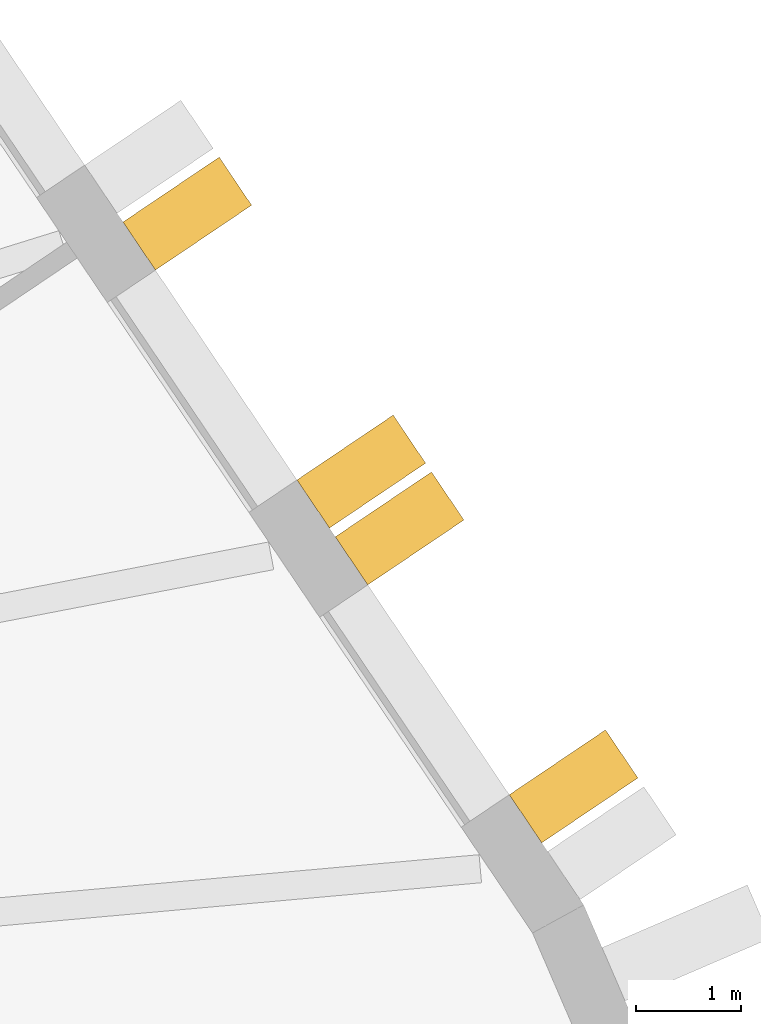
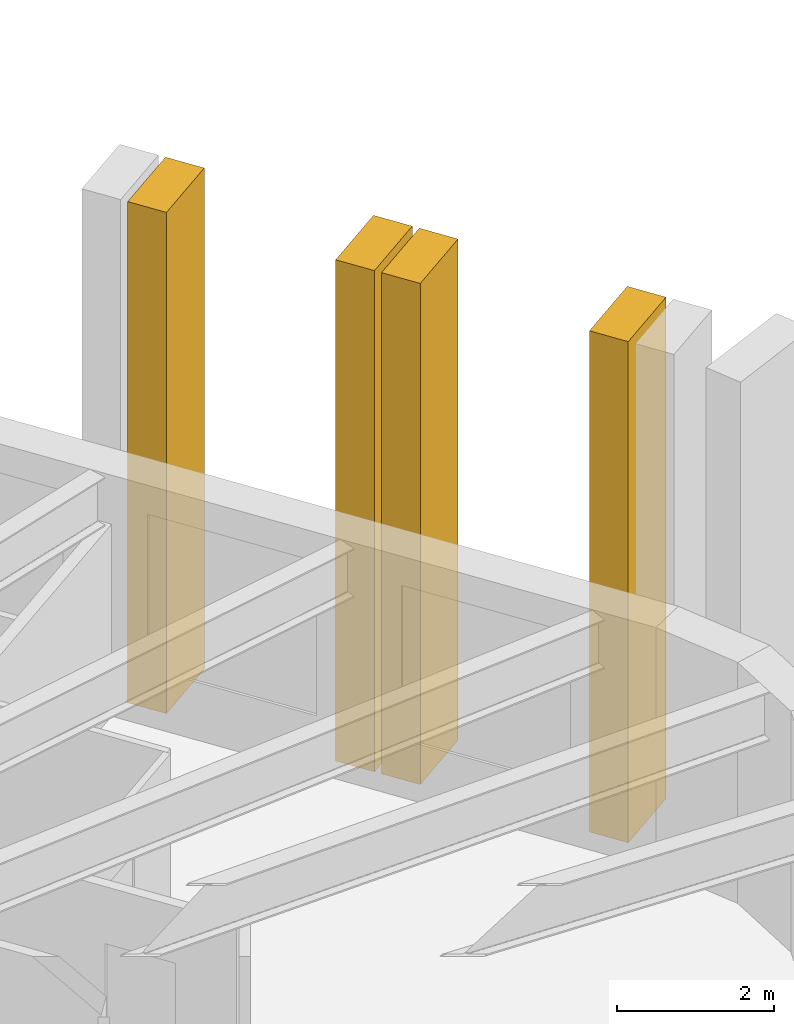
# One storey, part 13 of 13: 4 shading devices.
"""IFC4 building model written with IfcOpenShell, lengths in metres."""

from ifc_helpers import new_model, si_unit, direction, frame, origin, place, context, subcontext, project, spatial, polyline, outline, extrude, material, layer, layer_set, type_object, element, save


model = new_model("IFC4")

# Units and contexts
model_context = context("Model", 3, precision=1e-05, world=origin(), true_north=direction((0.0, 1.0)))
body_context = subcontext(model_context, "Body", "Model", "MODEL_VIEW")
ifc_project = project(units=[si_unit("LENGTHUNIT", "METRE"), si_unit("AREAUNIT", "SQUARE_METRE"), si_unit("VOLUMEUNIT", "CUBIC_METRE"), si_unit("PLANEANGLEUNIT", "RADIAN"), si_unit("MASSUNIT", "GRAM", prefix="KILO")], contexts=[model_context])

# Site, building, storey
site_placement = place(None, origin())
site = spatial("IfcSite", under=ifc_project, at=site_placement, CompositionType="ELEMENT")
building_placement = place(site_placement, origin())
building = spatial("IfcBuilding", under=site, at=building_placement, Name="Tarnside Tower", CompositionType="ELEMENT")
storey_placement = place(building_placement, frame((0.0, 0.0, 92.10009765625)))
storey = spatial("IfcBuildingStorey", under=building, at=storey_placement, Name="L20", CompositionType="ELEMENT", Elevation=92.10009765625)

# Shading devices
ifc_material = material(Name="Concrete C50/60 white precast", Category="concrete")
ifc_layer = layer(ifc_material, 0.550048828125)
ifc_layer_set = layer_set([ifc_layer], Name="Precast fin 550 x 1100")
shading_device_type = type_object("IfcShadingDeviceType", Name="Precast fin 550 x 1100", PredefinedType="USERDEFINED", material=ifc_layer_set)
for number, where, z_axis, x_axis, name in (
    (1, (33.4189453125, 4.10302734375, -0.150146484375), (0.559192903471, -0.829037572555, 0.0), (0.829037572555, 0.559192903471, 0.0), "Precast fin"),
    (2, (31.769287109375, 6.548583984375, -0.150146484375), (0.559192903471, -0.829037572555, 0.0), (0.829037572555, 0.559192903471, 0.0), "Precast fin"),
    (3, (31.406005859375, 7.087646484375, -0.150146484375), (0.559192903471, -0.829037572555, 0.0), (0.829037572555, 0.559192903471, 0.0), "Precast fin"),
    (4, (29.75634765625, 9.533203125, -0.150146484375), (0.559192903471, -0.829037572555, 0.0), (0.829037572555, 0.559192903471, 0.0), "Precast fin"),
):
    element("IfcShadingDevice", number, at=place(storey_placement, frame(where, z_axis=z_axis, x_axis=x_axis)), inside=storey, type_object=shading_device_type, Name=name, ObjectType="FIN", PredefinedType="USERDEFINED", context=body_context, shape_type="SweptSolid", body=[
        extrude(outline(polyline([(0.0, 0.0), (1.10009765625, 0.0), (1.10009765625, 7.800048828125), (0.0, 7.800048828125), (0.0, 0.0)])), frame((0.0, 0.0, -0.27490234375)), (0.0, 0.0, 1.0), 0.550048828125),
    ])

save(model, "model.ifc")
